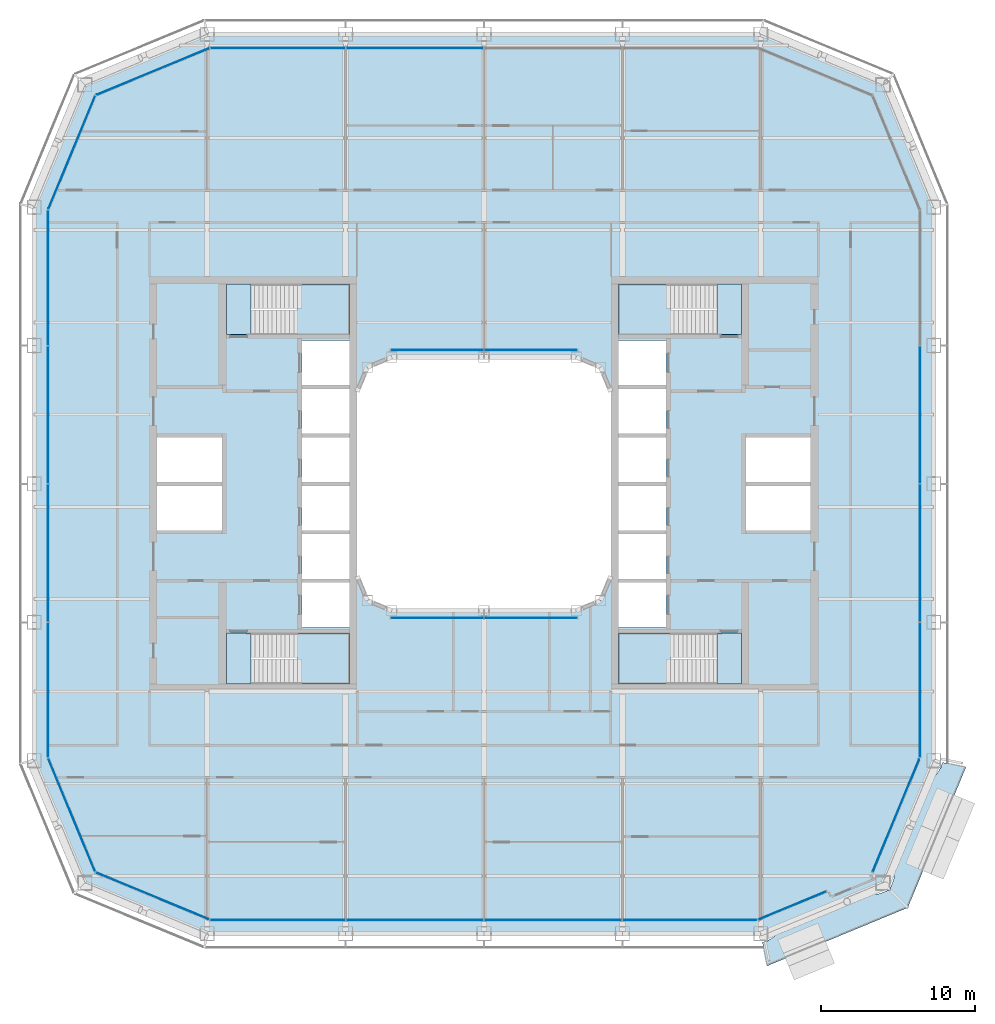
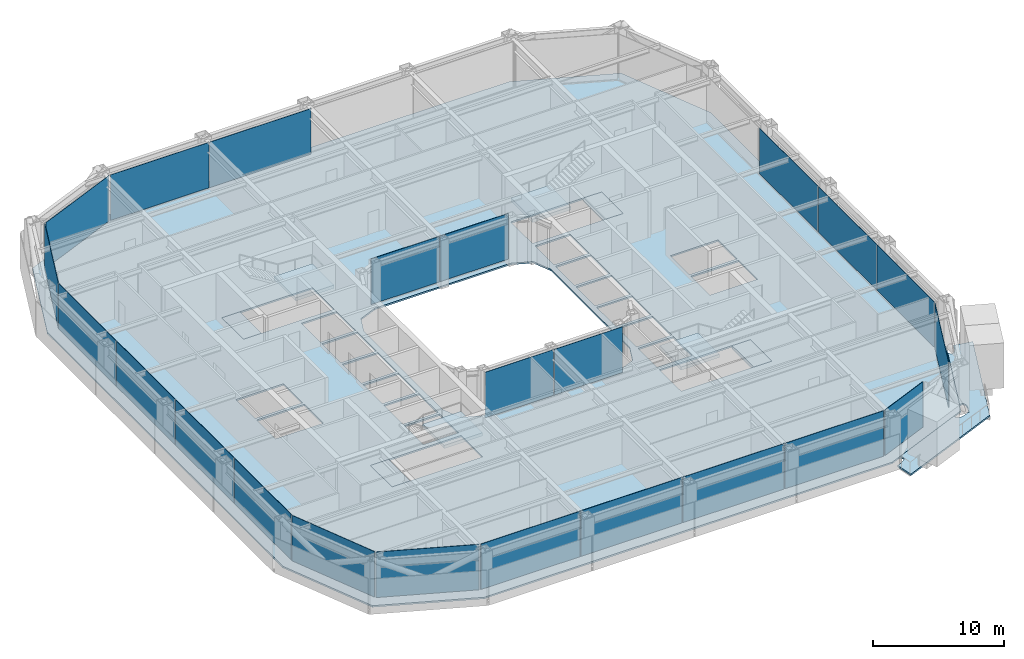
# One storey, part 10 of 23: 23 plates, 10 slabs, 16 elements without a shape of their own.
"""IFC4 building model written with IfcOpenShell, lengths in metres."""

from ifc_helpers import new_model, si_unit, direction, frame, origin, origin_2d, place, context, subcontext, project, spatial, polyline, rectangle, outline, extrude, material, layer, layer_set, type_object, element, aggregate, save


model = new_model("IFC4")

# Units and contexts
model_context = context("Model", 3, precision=1e-05, world=origin(), true_north=direction((0.0, 1.0)))
body_context = subcontext(model_context, "Body", "Model", "MODEL_VIEW")
ifc_project = project(units=[si_unit("LENGTHUNIT", "METRE"), si_unit("AREAUNIT", "SQUARE_METRE"), si_unit("VOLUMEUNIT", "CUBIC_METRE"), si_unit("PLANEANGLEUNIT", "RADIAN"), si_unit("MASSUNIT", "GRAM", prefix="KILO")], contexts=[model_context])

# Site, building, storey
site_placement = place(None, origin())
site = spatial("IfcSite", under=ifc_project, at=site_placement, CompositionType="ELEMENT")
building_placement = place(site_placement, origin())
building = spatial("IfcBuilding", under=site, at=building_placement, Name="Siwar Civic Tower", CompositionType="ELEMENT")
storey_placement = place(building_placement, frame((0.0, 0.0, 109.199951171875)))
storey = spatial("IfcBuildingStorey", under=building, at=storey_placement, Name="L23", CompositionType="ELEMENT", Elevation=109.199951171875)

# Stair, slabs
ifc_material_1 = material(Name="Concrete C40/50", Category="concrete")
stair_type = type_object("IfcStairType", Name="CORE-STAIR", PredefinedType="TWO_STRAIGHT_RUN_STAIR", material=ifc_material_1)
stair_1_placement = place(storey_placement, origin())
stair_1 = element("IfcStair", 1, at=stair_1_placement, inside=storey, type_object=stair_type, Name="Exit stair ST1", PredefinedType="TWO_STRAIGHT_RUN_STAIR")
ifc_material_2 = material(Name="Concrete C40/50", Category="concrete")
ifc_layer_1 = layer(ifc_material_2, 0.300048828125)
ifc_layer_set_1 = layer_set([ifc_layer_1], Name="Concrete C40/50")
slab_type_1 = type_object("IfcSlabType", Name="CORE-STAIR-LANDING", PredefinedType="LANDING", material=ifc_layer_set_1)
slab_1_placement = place(storey_placement, frame((0.0, 0.0, -0.300048828125)))
slab_1 = element("IfcSlab", 2, at=slab_1_placement, type_object=slab_type_1, Name="ST1 landing 1", PredefinedType="LANDING", context=body_context, shape_type="SweptSolid", body=[
    extrude(outline(polyline([(-15.14990234375, 13.0), (-16.75, 13.0), (-16.75, 9.699951171875), (-15.14990234375, 9.699951171875), (-15.14990234375, 13.0)])), origin(), (0.0, 0.0, 1.0), 0.300048828125),
])
slab_2_placement = place(storey_placement, frame((0.0, 0.0, 1.949951171875)))
slab_2 = element("IfcSlab", 3, at=slab_2_placement, type_object=slab_type_1, Name="ST1 landing 2", PredefinedType="LANDING", context=body_context, shape_type="SweptSolid", body=[
    extrude(outline(polyline([(-8.75, 13.0), (-12.139892578125, 13.0), (-12.139892578125, 9.699951171875), (-8.75, 9.699951171875), (-8.75, 13.0)])), origin(), (0.0, 0.0, 1.0), 0.300048828125),
])
aggregate(stair_1, [slab_1, slab_2])

stair_2_placement = place(storey_placement, origin())
stair_2 = element("IfcStair", 4, at=stair_2_placement, inside=storey, type_object=stair_type, Name="Exit stair ST2", PredefinedType="TWO_STRAIGHT_RUN_STAIR")
slab_3_placement = place(storey_placement, frame((0.0, 0.0, -0.300048828125)))
slab_3 = element("IfcSlab", 5, at=slab_3_placement, type_object=slab_type_1, Name="ST2 landing 1", PredefinedType="LANDING", context=body_context, shape_type="SweptSolid", body=[
    extrude(outline(polyline([(-15.14990234375, -9.699951171875), (-16.75, -9.699951171875), (-16.75, -13.0), (-15.14990234375, -13.0), (-15.14990234375, -9.699951171875)])), origin(), (0.0, 0.0, 1.0), 0.300048828125),
])
slab_4_placement = place(storey_placement, frame((0.0, 0.0, 1.949951171875)))
slab_4 = element("IfcSlab", 6, at=slab_4_placement, type_object=slab_type_1, Name="ST2 landing 2", PredefinedType="LANDING", context=body_context, shape_type="SweptSolid", body=[
    extrude(outline(polyline([(-8.75, -9.699951171875), (-12.139892578125, -9.699951171875), (-12.139892578125, -13.0), (-8.75, -13.0), (-8.75, -9.699951171875)])), origin(), (0.0, 0.0, 1.0), 0.300048828125),
])
aggregate(stair_2, [slab_3, slab_4])

stair_3_placement = place(storey_placement, origin())
stair_3 = element("IfcStair", 7, at=stair_3_placement, inside=storey, type_object=stair_type, Name="Exit stair ST3", PredefinedType="TWO_STRAIGHT_RUN_STAIR")
slab_5_placement = place(storey_placement, frame((0.0, 0.0, -0.300048828125)))
slab_5 = element("IfcSlab", 8, at=slab_5_placement, type_object=slab_type_1, Name="ST3 landing 1", PredefinedType="LANDING", context=body_context, shape_type="SweptSolid", body=[
    extrude(outline(polyline([(15.14990234375, 9.699951171875), (16.75, 9.699951171875), (16.75, 13.0), (15.14990234375, 13.0), (15.14990234375, 9.699951171875)])), origin(), (0.0, 0.0, 1.0), 0.300048828125),
])
slab_6_placement = place(storey_placement, frame((0.0, 0.0, 1.949951171875)))
slab_6 = element("IfcSlab", 9, at=slab_6_placement, type_object=slab_type_1, Name="ST3 landing 2", PredefinedType="LANDING", context=body_context, shape_type="SweptSolid", body=[
    extrude(outline(polyline([(8.75, 9.699951171875), (12.139892578125, 9.699951171875), (12.139892578125, 13.0), (8.75, 13.0), (8.75, 9.699951171875)])), origin(), (0.0, 0.0, 1.0), 0.300048828125),
])
aggregate(stair_3, [slab_5, slab_6])

stair_4_placement = place(storey_placement, origin())
stair_4 = element("IfcStair", 10, at=stair_4_placement, inside=storey, type_object=stair_type, Name="Exit stair ST4", PredefinedType="TWO_STRAIGHT_RUN_STAIR")
slab_7_placement = place(storey_placement, frame((0.0, 0.0, -0.300048828125)))
slab_7 = element("IfcSlab", 11, at=slab_7_placement, type_object=slab_type_1, Name="ST4 landing 1", PredefinedType="LANDING", context=body_context, shape_type="SweptSolid", body=[
    extrude(outline(polyline([(15.14990234375, -13.0), (16.75, -13.0), (16.75, -9.699951171875), (15.14990234375, -9.699951171875), (15.14990234375, -13.0)])), origin(), (0.0, 0.0, 1.0), 0.300048828125),
])
slab_8_placement = place(storey_placement, frame((0.0, 0.0, 1.949951171875)))
slab_8 = element("IfcSlab", 12, at=slab_8_placement, type_object=slab_type_1, Name="ST4 landing 2", PredefinedType="LANDING", context=body_context, shape_type="SweptSolid", body=[
    extrude(outline(polyline([(8.75, -13.0), (12.139892578125, -13.0), (12.139892578125, -9.699951171875), (8.75, -9.699951171875), (8.75, -13.0)])), origin(), (0.0, 0.0, 1.0), 0.300048828125),
])
aggregate(stair_4, [slab_7, slab_8])

# Slab
ifc_material_3 = material(Name="Concrete C40/50", Category="concrete")
ifc_layer_2 = layer(ifc_material_3, 0.14990234375)
ifc_layer_set_2 = layer_set([ifc_layer_2], Name="Concrete C40/50")
slab_type_2 = type_object("IfcSlabType", Name="ENV-BALCONY DECK 150", PredefinedType="FLOOR", material=ifc_layer_set_2)
slab_9_placement = place(storey_placement, frame((0.0, 0.0, -0.1494140625)))
element("IfcSlab", 13, at=slab_9_placement, inside=storey, type_object=slab_type_2, Name="Tree balcony deck SE", PredefinedType="FLOOR", context=body_context, shape_type="SweptSolid", body=[
    extrude(outline(polyline([(26.263427734375, -26.43310546875), (26.258056640625, -26.435546875), (26.258056640625, -26.435546875), (26.24169921875, -26.4423828125), (25.921875, -26.575439453125), (25.897216796875, -26.585693359375), (25.88916015625, -26.589111328125), (25.88720703125, -26.58984375), (25.81494140625, -26.617431640625), (25.81005859375, -26.619140625), (25.74462890625, -26.639404296875), (25.740234375, -26.640625), (25.673583984375, -26.65673828125), (25.669189453125, -26.65771484375), (25.601806640625, -26.669921875), (25.59765625, -26.67041015625), (25.529541015625, -26.6787109375), (25.523681640625, -26.67919921875), (25.517578125, -26.67919921875), (25.406005859375, -26.6748046875), (25.397216796875, -26.674072265625), (25.388671875, -26.672119140625), (25.345703125, -26.66015625), (25.34130859375, -26.65869140625), (25.299072265625, -26.64404296875), (25.29150390625, -26.640869140625), (25.284423828125, -26.63720703125), (25.251220703125, -26.61669921875), (25.247802734375, -26.614501953125), (25.216064453125, -26.59228515625), (25.209716796875, -26.58740234375), (25.203857421875, -26.581787109375), (25.19873046875, -26.575439453125), (25.1943359375, -26.56884765625), (25.190673828125, -26.561767578125), (25.177001953125, -26.531494140625), (25.17529296875, -26.52734375), (25.16357421875, -26.496337890625), (25.1611328125, -26.488525390625), (25.159423828125, -26.480712890625), (25.15869140625, -26.47265625), (25.15869140625, -26.464599609375), (25.15966796875, -26.456787109375), (25.166259765625, -26.418701171875), (25.167236328125, -26.41455078125), (25.176025390625, -26.376708984375), (25.17822265625, -26.368896484375), (25.181396484375, -26.361328125), (25.20068359375, -26.321044921875), (25.202880859375, -26.31689453125), (25.224609375, -26.27783203125), (25.2294921875, -26.2705078125), (25.23486328125, -26.263671875), (25.25048828125, -26.246826171875), (18.724609375, -28.949951171875), (18.77490234375, -28.951904296875), (18.783447265625, -28.95263671875), (18.7919921875, -28.95458984375), (18.835205078125, -28.966552734375), (18.839599609375, -28.968017578125), (18.8818359375, -28.982666015625), (18.889404296875, -28.98583984375), (18.896484375, -28.98974609375), (18.9296875, -29.010009765625), (18.935302734375, -29.013916015625), (18.940673828125, -29.018310546875), (18.945556640625, -29.023193359375), (18.968994140625, -29.048583984375), (18.971923828125, -29.052001953125), (18.99365234375, -29.078857421875), (18.998046875, -29.084716796875), (19.001708984375, -29.0908203125), (19.0048828125, -29.097412109375), (19.00732421875, -29.104248046875), (19.009033203125, -29.111083984375), (19.01025390625, -29.118408203125), (19.013671875, -29.15283203125), (19.01416015625, -29.1572265625), (19.015625, -29.19189453125), (19.015625, -29.19873046875), (19.01513671875, -29.20556640625), (19.013671875, -29.21240234375), (19.0048828125, -29.25), (19.002685546875, -29.2578125), (18.99951171875, -29.265380859375), (18.980224609375, -29.305908203125), (18.97802734375, -29.309814453125), (18.956298828125, -29.348876953125), (18.951416015625, -29.356201171875), (18.946044921875, -29.363037109375), (18.870361328125, -29.4453125), (18.865966796875, -29.44970703125), (18.861572265625, -29.453369140625), (18.8076171875, -29.495849609375), (18.80419921875, -29.498291015625), (18.748046875, -29.53759765625), (18.744384765625, -29.5400390625), (18.68603515625, -29.575927734375), (18.681884765625, -29.578369140625), (18.62158203125, -29.610595703125), (18.616943359375, -29.61279296875), (18.54638671875, -29.64453125), (18.54443359375, -29.645263671875), (18.4951171875, -29.665771484375), (18.47509765625, -29.674072265625), (18.47509765625, -29.72509765625), (18.352783203125, -29.72509765625), (18.314697265625, -29.740966796875), (18.232666015625, -29.775146484375), (18.19970703125, -29.788818359375), (18.175048828125, -29.798828125), (18.175048828125, -29.798828125), (18.16748046875, -29.8017578125), (18.148193359375, -29.807373046875), (18.140625, -29.80908203125), (18.1328125, -29.81005859375), (18.1123046875, -29.8115234375), (18.11181640625, -29.8115234375), (18.417724609375, -31.35009765625), (27.562255859375, -27.562255859375), (31.35009765625, -18.417724609375), (29.80810546875, -18.111083984375), (29.808349609375, -18.114013671875), (29.80859375, -18.13037109375), (29.808349609375, -18.136962890625), (29.8076171875, -18.1435546875), (29.80615234375, -18.150146484375), (29.80224609375, -18.1650390625), (29.798828125, -18.175048828125), (29.788818359375, -18.19970703125), (29.755615234375, -18.279052734375), (29.740966796875, -18.314697265625), (29.72509765625, -18.352783203125), (29.72509765625, -18.47509765625), (29.674072265625, -18.47509765625), (29.665771484375, -18.4951171875), (29.645263671875, -18.54443359375), (29.64453125, -18.54638671875), (29.61279296875, -18.616943359375), (29.610595703125, -18.62158203125), (29.578369140625, -18.681884765625), (29.575927734375, -18.68603515625), (29.5400390625, -18.744384765625), (29.53759765625, -18.748046875), (29.498291015625, -18.80419921875), (29.495849609375, -18.8076171875), (29.453369140625, -18.861572265625), (29.44970703125, -18.865966796875), (29.4453125, -18.870361328125), (29.363037109375, -18.946044921875), (29.356201171875, -18.951416015625), (29.348876953125, -18.956298828125), (29.309814453125, -18.97802734375), (29.305908203125, -18.980224609375), (29.265380859375, -18.99951171875), (29.2578125, -19.002685546875), (29.25, -19.0048828125), (29.21240234375, -19.013671875), (29.20556640625, -19.01513671875), (29.19873046875, -19.015625), (29.19189453125, -19.015625), (29.1572265625, -19.01416015625), (29.15283203125, -19.013671875), (29.118408203125, -19.01025390625), (29.111083984375, -19.009033203125), (29.104248046875, -19.00732421875), (29.097412109375, -19.0048828125), (29.0908203125, -19.001708984375), (29.084716796875, -18.998046875), (29.078857421875, -18.99365234375), (29.052001953125, -18.971923828125), (29.048583984375, -18.968994140625), (29.023193359375, -18.945556640625), (29.018310546875, -18.940673828125), (29.013916015625, -18.935302734375), (29.010009765625, -18.9296875), (28.98974609375, -18.896484375), (28.98583984375, -18.889404296875), (28.982666015625, -18.8818359375), (28.968017578125, -18.839599609375), (28.966552734375, -18.835205078125), (28.95458984375, -18.7919921875), (28.95263671875, -18.783447265625), (28.951904296875, -18.77490234375), (28.949951171875, -18.724609375), (26.246826171875, -25.25048828125), (26.263671875, -25.23486328125), (26.2705078125, -25.2294921875), (26.27783203125, -25.224609375), (26.31689453125, -25.202880859375), (26.321044921875, -25.20068359375), (26.361328125, -25.181396484375), (26.368896484375, -25.17822265625), (26.376708984375, -25.176025390625), (26.41455078125, -25.167236328125), (26.418701171875, -25.166259765625), (26.456787109375, -25.15966796875), (26.464599609375, -25.15869140625), (26.47265625, -25.15869140625), (26.480712890625, -25.159423828125), (26.488525390625, -25.1611328125), (26.496337890625, -25.16357421875), (26.52734375, -25.17529296875), (26.531494140625, -25.177001953125), (26.561767578125, -25.190673828125), (26.56884765625, -25.1943359375), (26.575439453125, -25.19873046875), (26.581787109375, -25.203857421875), (26.58740234375, -25.209716796875), (26.59228515625, -25.216064453125), (26.614501953125, -25.247802734375), (26.61669921875, -25.251220703125), (26.63720703125, -25.284423828125), (26.640869140625, -25.29150390625), (26.64404296875, -25.299072265625), (26.65869140625, -25.34130859375), (26.66015625, -25.345703125), (26.672119140625, -25.388671875), (26.674072265625, -25.397216796875), (26.6748046875, -25.406005859375), (26.67919921875, -25.517578125), (26.67919921875, -25.523681640625), (26.6787109375, -25.529541015625), (26.67041015625, -25.59765625), (26.669921875, -25.601806640625), (26.65771484375, -25.669189453125), (26.65673828125, -25.673583984375), (26.640625, -25.740234375), (26.639404296875, -25.74462890625), (26.619140625, -25.81005859375), (26.617431640625, -25.81494140625), (26.58984375, -25.88720703125), (26.589111328125, -25.88916015625), (26.585693359375, -25.897216796875), (26.575439453125, -25.921875), (26.4423828125, -26.24169921875), (26.435546875, -26.258056640625), (26.4306640625, -26.267578125), (26.429931640625, -26.268798828125), (26.429931640625, -26.429931640625), (26.26953125, -26.429931640625), (26.263427734375, -26.43310546875)])), origin(), (0.0, 0.0, 1.0), 0.1494140625),
])

# Curtain wall, plates
ifc_material_4 = material(Name="Aluminium and glass", Category="aluminium")
ifc_layer_3 = layer(ifc_material_4, 0.199951171875)
ifc_layer_set_3 = layer_set([ifc_layer_3], Name="Aluminium and glass")
curtain_wall_type_1 = type_object("IfcCurtainWallType", Name="ENV-CW-B", PredefinedType="NOTDEFINED", material=ifc_layer_set_3)
curtain_wall_1_placement = place(storey_placement, origin())
curtain_wall_1 = element("IfcCurtainWall", 14, at=curtain_wall_1_placement, inside=storey, type_object=curtain_wall_type_1, Name="Curtain wall B S", PredefinedType="NOTDEFINED")
ifc_material_5 = material(Name="Glass clear laminated", Category="glass")
ifc_layer_4 = layer(ifc_material_5, 0.033935546875)
ifc_layer_set_4 = layer_set([ifc_layer_4], Name="Glass clear laminated")
plate_type_1 = type_object("IfcPlateType", Name="ENV-PANEL-B", PredefinedType="CURTAIN_PANEL", material=ifc_layer_set_4)
plate_1_placement = place(storey_placement, frame((-13.410400390625, -28.35009765625, 0.10986328125), z_axis=(0.0, 0.0, 1.0), x_axis=(1.0, 0.0, 0.0)))
plate_1 = element("IfcPlate", 15, at=plate_1_placement, type_object=plate_type_1, Name="Curtain panel B S 1", PredefinedType="CURTAIN_PANEL", context=body_context, shape_type="SweptSolid", body=[
    extrude(rectangle(XDim=8.755859375, YDim=0.033935546875, at=origin_2d()), origin(), (0.0, 0.0, 1.0), 4.239990234375),
])
plate_2_placement = place(storey_placement, frame((-4.5, -28.35009765625, 0.10986328125), z_axis=(0.0, 0.0, 1.0), x_axis=(1.0, 0.0, 0.0)))
plate_2 = element("IfcPlate", 16, at=plate_2_placement, type_object=plate_type_1, Name="Curtain panel B S 2", PredefinedType="CURTAIN_PANEL", context=body_context, shape_type="SweptSolid", body=[
    extrude(rectangle(XDim=8.93505859375, YDim=0.033935546875, at=origin_2d()), origin(), (0.0, 0.0, 1.0), 4.239990234375),
])
plate_3_placement = place(storey_placement, frame((4.5, -28.35009765625, 0.10986328125), z_axis=(0.0, 0.0, 1.0), x_axis=(1.0, 0.0, 0.0)))
plate_3 = element("IfcPlate", 17, at=plate_3_placement, type_object=plate_type_1, Name="Curtain panel B S 3", PredefinedType="CURTAIN_PANEL", context=body_context, shape_type="SweptSolid", body=[
    extrude(rectangle(XDim=8.93505859375, YDim=0.033935546875, at=origin_2d()), origin(), (0.0, 0.0, 1.0), 4.239990234375),
])
plate_4_placement = place(storey_placement, frame((13.369873046875, -28.35009765625, 0.10986328125), z_axis=(0.0, 0.0, 1.0), x_axis=(1.0, 0.0, 0.0)))
plate_4 = element("IfcPlate", 18, at=plate_4_placement, type_object=plate_type_1, Name="Curtain panel B S 4", PredefinedType="CURTAIN_PANEL", context=body_context, shape_type="SweptSolid", body=[
    extrude(rectangle(XDim=8.6748046875, YDim=0.033935546875, at=origin_2d()), origin(), (0.0, 0.0, 1.0), 4.239990234375),
])
aggregate(curtain_wall_1, [plate_1, plate_2, plate_3, plate_4])

curtain_wall_2_placement = place(storey_placement, origin())
curtain_wall_2 = element("IfcCurtainWall", 19, at=curtain_wall_2_placement, inside=storey, type_object=curtain_wall_type_1, Name="Curtain wall B E", PredefinedType="NOTDEFINED")
plate_5_placement = place(storey_placement, frame((28.35009765625, -13.410400390625, 0.10986328125), z_axis=(0.0, 0.0, 1.0), x_axis=(0.0, 1.0, 0.0)))
plate_5 = element("IfcPlate", 20, at=plate_5_placement, type_object=plate_type_1, Name="Curtain panel B E 1", PredefinedType="CURTAIN_PANEL", context=body_context, shape_type="SweptSolid", body=[
    extrude(rectangle(XDim=8.755859375, YDim=0.033935546875, at=origin_2d()), origin(), (0.0, 0.0, 1.0), 4.239990234375),
])
plate_6_placement = place(storey_placement, frame((28.35009765625, -4.5, 0.10986328125), z_axis=(0.0, 0.0, 1.0), x_axis=(0.0, 1.0, 0.0)))
plate_6 = element("IfcPlate", 21, at=plate_6_placement, type_object=plate_type_1, Name="Curtain panel B E 2", PredefinedType="CURTAIN_PANEL", context=body_context, shape_type="SweptSolid", body=[
    extrude(rectangle(XDim=8.93505859375, YDim=0.033935546875, at=origin_2d()), origin(), (0.0, 0.0, 1.0), 4.239990234375),
])
plate_7_placement = place(storey_placement, frame((28.35009765625, 4.5, 0.10986328125), z_axis=(0.0, 0.0, 1.0), x_axis=(0.0, 1.0, 0.0)))
plate_7 = element("IfcPlate", 22, at=plate_7_placement, type_object=plate_type_1, Name="Curtain panel B E 3", PredefinedType="CURTAIN_PANEL", context=body_context, shape_type="SweptSolid", body=[
    extrude(rectangle(XDim=8.93505859375, YDim=0.033935546875, at=origin_2d()), origin(), (0.0, 0.0, 1.0), 4.239990234375),
])
aggregate(curtain_wall_2, [plate_5, plate_6, plate_7])

curtain_wall_3_placement = place(storey_placement, origin())
curtain_wall_3 = element("IfcCurtainWall", 23, at=curtain_wall_3_placement, inside=storey, type_object=curtain_wall_type_1, Name="Curtain wall B N", PredefinedType="NOTDEFINED")
plate_8_placement = place(storey_placement, frame((-4.5, 28.35009765625, 0.10986328125), z_axis=(0.0, 0.0, 1.0), x_axis=(-1.0, 0.0, 0.0)))
plate_8 = element("IfcPlate", 24, at=plate_8_placement, type_object=plate_type_1, Name="Curtain panel B N 3", PredefinedType="CURTAIN_PANEL", context=body_context, shape_type="SweptSolid", body=[
    extrude(rectangle(XDim=8.93505859375, YDim=0.033935546875, at=origin_2d()), origin(), (0.0, 0.0, 1.0), 4.239990234375),
])
plate_9_placement = place(storey_placement, frame((-13.369873046875, 28.35009765625, 0.10986328125), z_axis=(0.0, 0.0, 1.0), x_axis=(-1.0, 0.0, 0.0)))
plate_9 = element("IfcPlate", 25, at=plate_9_placement, type_object=plate_type_1, Name="Curtain panel B N 4", PredefinedType="CURTAIN_PANEL", context=body_context, shape_type="SweptSolid", body=[
    extrude(rectangle(XDim=8.6748046875, YDim=0.033935546875, at=origin_2d()), origin(), (0.0, 0.0, 1.0), 4.239990234375),
])
aggregate(curtain_wall_3, [plate_8, plate_9])

curtain_wall_4_placement = place(storey_placement, origin())
curtain_wall_4 = element("IfcCurtainWall", 26, at=curtain_wall_4_placement, inside=storey, type_object=curtain_wall_type_1, Name="Curtain wall B W", PredefinedType="NOTDEFINED")
plate_10_placement = place(storey_placement, frame((-28.35009765625, 13.410400390625, 0.10986328125), z_axis=(0.0, 0.0, 1.0), x_axis=(0.0, -1.0, 0.0)))
plate_10 = element("IfcPlate", 27, at=plate_10_placement, type_object=plate_type_1, Name="Curtain panel B W 1", PredefinedType="CURTAIN_PANEL", context=body_context, shape_type="SweptSolid", body=[
    extrude(rectangle(XDim=8.755859375, YDim=0.033935546875, at=origin_2d()), origin(), (0.0, 0.0, 1.0), 4.239990234375),
])
plate_11_placement = place(storey_placement, frame((-28.35009765625, 4.5, 0.10986328125), z_axis=(0.0, 0.0, 1.0), x_axis=(0.0, -1.0, 0.0)))
plate_11 = element("IfcPlate", 28, at=plate_11_placement, type_object=plate_type_1, Name="Curtain panel B W 2", PredefinedType="CURTAIN_PANEL", context=body_context, shape_type="SweptSolid", body=[
    extrude(rectangle(XDim=8.93505859375, YDim=0.033935546875, at=origin_2d()), origin(), (0.0, 0.0, 1.0), 4.239990234375),
])
plate_12_placement = place(storey_placement, frame((-28.35009765625, -4.5, 0.10986328125), z_axis=(0.0, 0.0, 1.0), x_axis=(0.0, -1.0, 0.0)))
plate_12 = element("IfcPlate", 29, at=plate_12_placement, type_object=plate_type_1, Name="Curtain panel B W 3", PredefinedType="CURTAIN_PANEL", context=body_context, shape_type="SweptSolid", body=[
    extrude(rectangle(XDim=8.93505859375, YDim=0.033935546875, at=origin_2d()), origin(), (0.0, 0.0, 1.0), 4.239990234375),
])
plate_13_placement = place(storey_placement, frame((-28.35009765625, -13.369873046875, 0.10986328125), z_axis=(0.0, 0.0, 1.0), x_axis=(0.0, -1.0, 0.0)))
plate_13 = element("IfcPlate", 30, at=plate_13_placement, type_object=plate_type_1, Name="Curtain panel B W 4", PredefinedType="CURTAIN_PANEL", context=body_context, shape_type="SweptSolid", body=[
    extrude(rectangle(XDim=8.6748046875, YDim=0.033935546875, at=origin_2d()), origin(), (0.0, 0.0, 1.0), 4.239990234375),
])
aggregate(curtain_wall_4, [plate_10, plate_11, plate_12, plate_13])

# Curtain wall, plate
ifc_material_6 = material(Name="Aluminium clad insulated panel", Category="aluminium")
ifc_layer_5 = layer(ifc_material_6, 0.199951171875)
ifc_layer_set_5 = layer_set([ifc_layer_5], Name="Aluminium clad insulated panel")
curtain_wall_type_2 = type_object("IfcCurtainWallType", Name="ENV-CW-BX", PredefinedType="NOTDEFINED", material=ifc_layer_set_5)
curtain_wall_5_placement = place(storey_placement, origin())
curtain_wall_5 = element("IfcCurtainWall", 31, at=curtain_wall_5_placement, inside=storey, type_object=curtain_wall_type_2, Name="Curtain wall B SE1", PredefinedType="NOTDEFINED")
ifc_material_7 = material(Name="Aluminium clad insulated panel", Category="aluminium")
ifc_layer_6 = layer(ifc_material_7, 0.033935546875)
ifc_layer_set_6 = layer_set([ifc_layer_6], Name="Aluminium clad insulated panel")
plate_type_2 = type_object("IfcPlateType", Name="ENV-PANEL-BX", PredefinedType="CURTAIN_PANEL", material=ifc_layer_set_6)
plate_14_placement = place(storey_placement, frame((20.06005859375, -27.422607421875, 0.10986328125), z_axis=(0.0, 0.0, 1.0), x_axis=(0.923879532511, 0.382683432365, 0.0)))
plate_14 = element("IfcPlate", 32, at=plate_14_placement, type_object=plate_type_2, Name="Curtain panel B SE1 1", PredefinedType="CURTAIN_PANEL", context=body_context, shape_type="SweptSolid", body=[
    extrude(rectangle(XDim=4.7822265625, YDim=0.033935546875, at=origin_2d()), origin(), (0.0, 0.0, 1.0), 4.239990234375),
])
aggregate(curtain_wall_5, [plate_14])

curtain_wall_6_placement = place(storey_placement, origin())
curtain_wall_6 = element("IfcCurtainWall", 33, at=curtain_wall_6_placement, inside=storey, type_object=curtain_wall_type_2, Name="Curtain wall B SE2", PredefinedType="NOTDEFINED")
plate_15_placement = place(storey_placement, frame((26.79248046875, -21.5810546875, 0.10986328125), z_axis=(0.0, 0.0, 1.0), x_axis=(0.382683432365, 0.923879532511, 0.0)))
plate_15 = element("IfcPlate", 34, at=plate_15_placement, type_object=plate_type_2, Name="Curtain panel B SE2 1", PredefinedType="CURTAIN_PANEL", context=body_context, shape_type="SweptSolid", body=[
    extrude(rectangle(XDim=7.912353515625, YDim=0.033935546875, at=origin_2d()), origin(), (0.0, 0.0, 1.0), 4.239990234375),
])
aggregate(curtain_wall_6, [plate_15])

curtain_wall_7_placement = place(storey_placement, origin())
curtain_wall_7 = element("IfcCurtainWall", 35, at=curtain_wall_7_placement, inside=storey, type_object=curtain_wall_type_2, Name="Curtain wall B NW1", PredefinedType="NOTDEFINED")
plate_16_placement = place(storey_placement, frame((-21.506103515625, 26.823486328125, 0.10986328125), z_axis=(0.0, 0.0, 1.0), x_axis=(-0.923879532511, -0.382683432365, 0.0)))
plate_16 = element("IfcPlate", 36, at=plate_16_placement, type_object=plate_type_2, Name="Curtain panel B NW1 1", PredefinedType="CURTAIN_PANEL", context=body_context, shape_type="SweptSolid", body=[
    extrude(rectangle(XDim=7.912353515625, YDim=0.033935546875, at=origin_2d()), origin(), (0.0, 0.0, 1.0), 4.239990234375),
])
aggregate(curtain_wall_7, [plate_16])

curtain_wall_8_placement = place(storey_placement, origin())
curtain_wall_8 = element("IfcCurtainWall", 37, at=curtain_wall_8_placement, inside=storey, type_object=curtain_wall_type_2, Name="Curtain wall B NW2", PredefinedType="NOTDEFINED")
plate_17_placement = place(storey_placement, frame((-26.79248046875, 21.5810546875, 0.10986328125), z_axis=(0.0, 0.0, 1.0), x_axis=(-0.382683432365, -0.923879532511, 0.0)))
plate_17 = element("IfcPlate", 38, at=plate_17_placement, type_object=plate_type_2, Name="Curtain panel B NW2 1", PredefinedType="CURTAIN_PANEL", context=body_context, shape_type="SweptSolid", body=[
    extrude(rectangle(XDim=7.912353515625, YDim=0.033935546875, at=origin_2d()), origin(), (0.0, 0.0, 1.0), 4.239990234375),
])
aggregate(curtain_wall_8, [plate_17])

curtain_wall_9_placement = place(storey_placement, origin())
curtain_wall_9 = element("IfcCurtainWall", 39, at=curtain_wall_9_placement, inside=storey, type_object=curtain_wall_type_2, Name="Curtain wall B SW1", PredefinedType="NOTDEFINED")
plate_18_placement = place(storey_placement, frame((-26.823486328125, -21.506103515625, 0.10986328125), z_axis=(0.0, 0.0, 1.0), x_axis=(0.382683432365, -0.923879532511, 0.0)))
plate_18 = element("IfcPlate", 40, at=plate_18_placement, type_object=plate_type_2, Name="Curtain panel B SW1 1", PredefinedType="CURTAIN_PANEL", context=body_context, shape_type="SweptSolid", body=[
    extrude(rectangle(XDim=7.912353515625, YDim=0.033935546875, at=origin_2d()), origin(), (0.0, 0.0, 1.0), 4.239990234375),
])
aggregate(curtain_wall_9, [plate_18])

curtain_wall_10_placement = place(storey_placement, origin())
curtain_wall_10 = element("IfcCurtainWall", 41, at=curtain_wall_10_placement, inside=storey, type_object=curtain_wall_type_2, Name="Curtain wall B SW2", PredefinedType="NOTDEFINED")
plate_19_placement = place(storey_placement, frame((-21.5810546875, -26.79248046875, 0.10986328125), z_axis=(0.0, 0.0, 1.0), x_axis=(0.923879532511, -0.382683432365, 0.0)))
plate_19 = element("IfcPlate", 42, at=plate_19_placement, type_object=plate_type_2, Name="Curtain panel B SW2 1", PredefinedType="CURTAIN_PANEL", context=body_context, shape_type="SweptSolid", body=[
    extrude(rectangle(XDim=7.912353515625, YDim=0.033935546875, at=origin_2d()), origin(), (0.0, 0.0, 1.0), 4.239990234375),
])
aggregate(curtain_wall_10, [plate_19])

# Curtain wall, plates
ifc_material_8 = material(Name="Aluminium and glass", Category="aluminium")
ifc_layer_7 = layer(ifc_material_8, 0.179931640625)
ifc_layer_set_7 = layer_set([ifc_layer_7], Name="Aluminium and glass")
curtain_wall_type_3 = type_object("IfcCurtainWallType", Name="ENV-CW-W", PredefinedType="NOTDEFINED", material=ifc_layer_set_7)
curtain_wall_11_placement = place(storey_placement, origin())
curtain_wall_11 = element("IfcCurtainWall", 43, at=curtain_wall_11_placement, inside=storey, type_object=curtain_wall_type_3, Name="Curtain wall W WS", PredefinedType="NOTDEFINED")
ifc_material_9 = material(Name="Glass clear laminated", Category="glass")
ifc_layer_8 = layer(ifc_material_9, 0.031982421875)
ifc_layer_set_8 = layer_set([ifc_layer_8], Name="Glass clear laminated")
plate_type_3 = type_object("IfcPlateType", Name="ENV-PANEL-W", PredefinedType="CURTAIN_PANEL", material=ifc_layer_set_8)
plate_20_placement = place(storey_placement, frame((-3.045654296875, -8.7099609375, 0.10009765625), z_axis=(0.0, 0.0, 1.0), x_axis=(1.0, 0.0, 0.0)))
plate_20 = element("IfcPlate", 44, at=plate_20_placement, type_object=plate_type_3, Name="Curtain panel W WS 1", PredefinedType="CURTAIN_PANEL", context=body_context, shape_type="SweptSolid", body=[
    extrude(rectangle(XDim=6.031494140625, YDim=0.031982421875, at=origin_2d()), origin(), (0.0, 0.0, 1.0), 4.25),
])
plate_21_placement = place(storey_placement, frame((3.045654296875, -8.7099609375, 0.10009765625), z_axis=(0.0, 0.0, 1.0), x_axis=(1.0, 0.0, 0.0)))
plate_21 = element("IfcPlate", 45, at=plate_21_placement, type_object=plate_type_3, Name="Curtain panel W WS 2", PredefinedType="CURTAIN_PANEL", context=body_context, shape_type="SweptSolid", body=[
    extrude(rectangle(XDim=6.031494140625, YDim=0.031982421875, at=origin_2d()), origin(), (0.0, 0.0, 1.0), 4.25),
])
aggregate(curtain_wall_11, [plate_20, plate_21])

curtain_wall_12_placement = place(storey_placement, origin())
curtain_wall_12 = element("IfcCurtainWall", 46, at=curtain_wall_12_placement, inside=storey, type_object=curtain_wall_type_3, Name="Curtain wall W WN", PredefinedType="NOTDEFINED")
plate_22_placement = place(storey_placement, frame((3.045654296875, 8.7099609375, 0.10009765625), z_axis=(0.0, 0.0, 1.0), x_axis=(-1.0, 0.0, 0.0)))
plate_22 = element("IfcPlate", 47, at=plate_22_placement, type_object=plate_type_3, Name="Curtain panel W WN 1", PredefinedType="CURTAIN_PANEL", context=body_context, shape_type="SweptSolid", body=[
    extrude(rectangle(XDim=6.031494140625, YDim=0.031982421875, at=origin_2d()), origin(), (0.0, 0.0, 1.0), 4.25),
])
plate_23_placement = place(storey_placement, frame((-3.045654296875, 8.7099609375, 0.10009765625), z_axis=(0.0, 0.0, 1.0), x_axis=(-1.0, 0.0, 0.0)))
plate_23 = element("IfcPlate", 48, at=plate_23_placement, type_object=plate_type_3, Name="Curtain panel W WN 2", PredefinedType="CURTAIN_PANEL", context=body_context, shape_type="SweptSolid", body=[
    extrude(rectangle(XDim=6.031494140625, YDim=0.031982421875, at=origin_2d()), origin(), (0.0, 0.0, 1.0), 4.25),
])
aggregate(curtain_wall_12, [plate_22, plate_23])

# Slab
ifc_material_10 = material(Name="Concrete C40/50", Category="concrete")
ifc_layer_9 = layer(ifc_material_10, 0.14990234375)
ifc_layer_set_9 = layer_set([ifc_layer_9], Name="Concrete C40/50")
slab_type_3 = type_object("IfcSlabType", Name="STR-FLOOR-DECK-150", PredefinedType="FLOOR", material=ifc_layer_set_9)
slab_10_placement = place(storey_placement, frame((0.0, 0.0, -0.14990234375)))
element("IfcSlab", 49, at=slab_10_placement, inside=storey, type_object=slab_type_3, Name="L23/slab/1", PredefinedType="FLOOR", context=body_context, shape_type="SweptSolid", body=[
    extrude(outline(polyline([(-18.0, -29.25), (18.0, -29.25), (25.954833984375, -25.954833984375), (29.25, -18.0), (29.25, 18.0), (25.954833984375, 25.954833984375), (18.0, 29.25), (-18.0, 29.25), (-25.954833984375, 25.954833984375), (-29.25, 18.0), (-29.25, -18.0), (-25.954833984375, -25.954833984375), (-18.0, -29.25)]), holes=[polyline([(21.25, 3.02490234375), (21.25, 0.125), (17.050048828125, 0.125), (17.050048828125, 3.02490234375), (21.25, 3.02490234375)]), polyline([(17.050048828125, -0.125), (21.25, -0.125), (21.25, -3.02490234375), (17.050048828125, -3.02490234375), (17.050048828125, -0.125)]), polyline([(16.75, 13.0), (16.75, 9.699951171875), (8.75, 9.699951171875), (8.75, 13.0), (16.75, 13.0)]), polyline([(8.75, -9.699951171875), (16.75, -9.699951171875), (16.75, -13.0), (8.75, -13.0), (8.75, -9.699951171875)]), polyline([(11.85009765625, 9.324951171875), (11.85009765625, 6.425048828125), (8.75, 6.425048828125), (8.75, 9.324951171875), (11.85009765625, 9.324951171875)]), polyline([(11.85009765625, 3.02490234375), (11.85009765625, 0.125), (8.75, 0.125), (8.75, 3.02490234375), (11.85009765625, 3.02490234375)]), polyline([(11.85009765625, -0.125), (11.85009765625, -3.02490234375), (8.75, -3.02490234375), (8.75, -0.125), (11.85009765625, -0.125)]), polyline([(11.85009765625, -3.27490234375), (11.85009765625, -6.175048828125), (8.75, -6.175048828125), (8.75, -3.27490234375), (11.85009765625, -3.27490234375)]), polyline([(8.75, 6.175048828125), (11.85009765625, 6.175048828125), (11.85009765625, 3.27490234375), (8.75, 3.27490234375), (8.75, 6.175048828125)]), polyline([(8.75, -6.425048828125), (11.85009765625, -6.425048828125), (11.85009765625, -9.324951171875), (8.75, -9.324951171875), (8.75, -6.425048828125)]), polyline([(-6.0, 8.25), (6.0, 8.25), (7.591064453125, 7.591064453125), (8.25, 6.0), (8.25, -6.0), (7.591064453125, -7.591064453125), (6.0, -8.25), (-6.0, -8.25), (-7.591064453125, -7.591064453125), (-8.25, -6.0), (-8.25, 6.0), (-7.591064453125, 7.591064453125), (-6.0, 8.25)]), polyline([(-8.75, 9.699951171875), (-16.75, 9.699951171875), (-16.75, 13.0), (-8.75, 13.0), (-8.75, 9.699951171875)]), polyline([(-8.75, 0.125), (-11.85009765625, 0.125), (-11.85009765625, 3.02490234375), (-8.75, 3.02490234375), (-8.75, 0.125)]), polyline([(-8.75, -6.175048828125), (-11.85009765625, -6.175048828125), (-11.85009765625, -3.27490234375), (-8.75, -3.27490234375), (-8.75, -6.175048828125)]), polyline([(-8.75, -9.324951171875), (-11.85009765625, -9.324951171875), (-11.85009765625, -6.425048828125), (-8.75, -6.425048828125), (-8.75, -9.324951171875)]), polyline([(-8.75, -13.0), (-16.75, -13.0), (-16.75, -9.699951171875), (-8.75, -9.699951171875), (-8.75, -13.0)]), polyline([(-11.85009765625, 6.425048828125), (-11.85009765625, 9.324951171875), (-8.75, 9.324951171875), (-8.75, 6.425048828125), (-11.85009765625, 6.425048828125)]), polyline([(-11.85009765625, 3.27490234375), (-11.85009765625, 6.175048828125), (-8.75, 6.175048828125), (-8.75, 3.27490234375), (-11.85009765625, 3.27490234375)]), polyline([(-11.85009765625, -3.02490234375), (-11.85009765625, -0.125), (-8.75, -0.125), (-8.75, -3.02490234375), (-11.85009765625, -3.02490234375)]), polyline([(-21.25, -3.02490234375), (-21.25, -0.125), (-17.050048828125, -0.125), (-17.050048828125, -3.02490234375), (-21.25, -3.02490234375)]), polyline([(-17.050048828125, 0.125), (-21.25, 0.125), (-21.25, 3.02490234375), (-17.050048828125, 3.02490234375), (-17.050048828125, 0.125)])]), origin(), (0.0, 0.0, 1.0), 0.14990234375),
])

save(model, "model.ifc")
